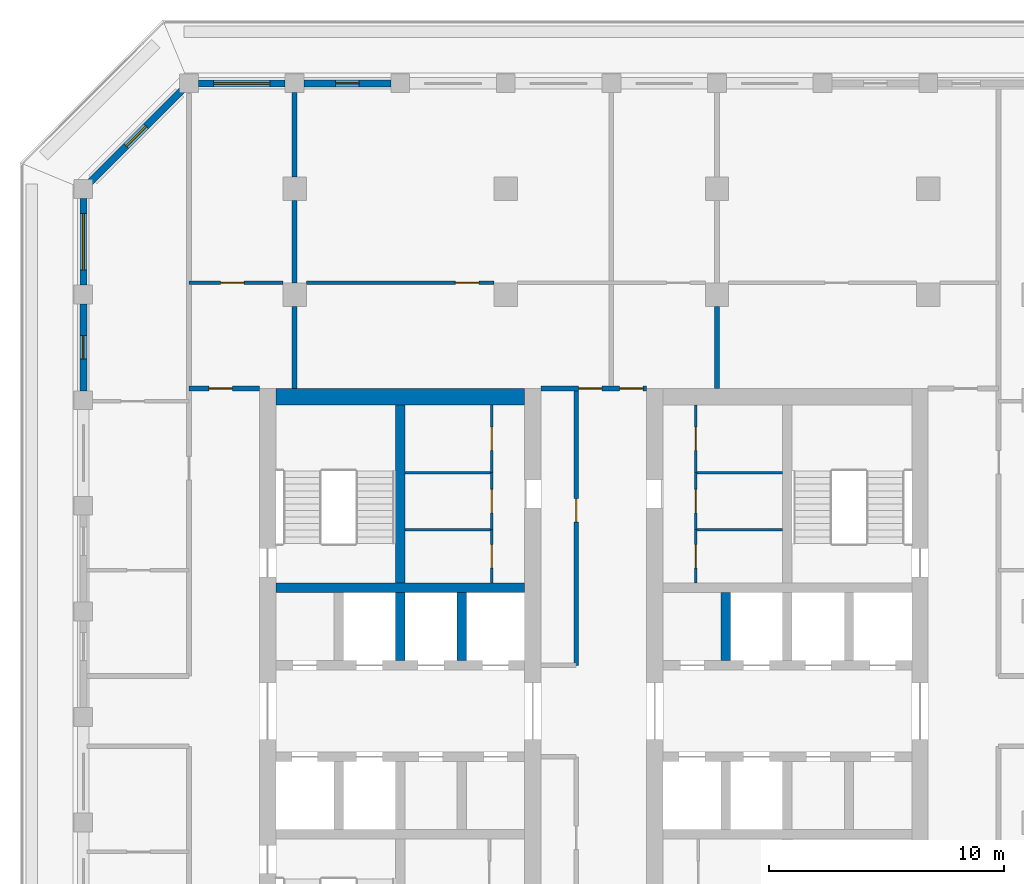
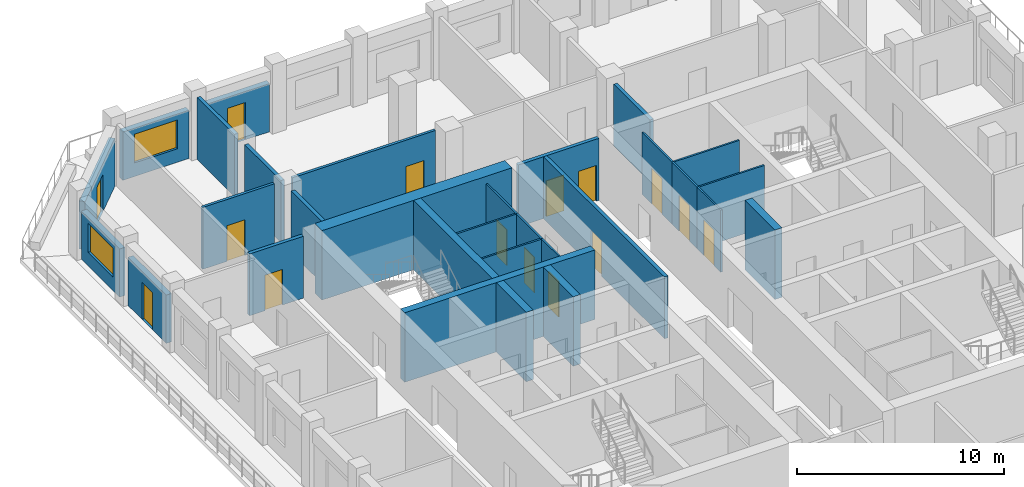
# One storey, part 6 of 17: 30 walls, 15 doors, 2 windows, 17 openings.
"""IFC4 building model written with IfcOpenShell, lengths in metres."""

from ifc_helpers import new_model, si_unit, direction, frame, frame_2d, origin, place, context, subcontext, project, spatial, rectangle, extrude, material, layer, layer_set, type_object, element, fill, save


model = new_model("IFC4")

# Units and contexts
model_context = context("Model", 3, precision=1e-05, world=origin(), true_north=direction((0.0, 1.0)))
body_context = subcontext(model_context, "Body", "Model", "MODEL_VIEW")
ifc_project = project(units=[si_unit("LENGTHUNIT", "METRE"), si_unit("AREAUNIT", "SQUARE_METRE"), si_unit("VOLUMEUNIT", "CUBIC_METRE"), si_unit("PLANEANGLEUNIT", "RADIAN"), si_unit("MASSUNIT", "GRAM", prefix="KILO")], contexts=[model_context])

# Site, building, storey
site_placement = place(None, origin())
site = spatial("IfcSite", under=ifc_project, at=site_placement, CompositionType="ELEMENT")
building_placement = place(site_placement, origin())
building = spatial("IfcBuilding", under=site, at=building_placement, Name="Corbel Stack Research Tower", CompositionType="ELEMENT")
storey_placement = place(building_placement, frame((0.0, 0.0, 252.10009765625)))
storey = spatial("IfcBuildingStorey", under=building, at=storey_placement, Name="L57", CompositionType="ELEMENT", Elevation=252.10009765625)

# Walls
ifc_material_1 = material(Name="Concrete C60/75", Category="concrete")
ifc_layer_1 = layer(ifc_material_1, 0.39990234375)
ifc_layer_set_1 = layer_set([ifc_layer_1], Name="Concrete C60/75")
wall_type_1 = type_object("IfcWallType", Name="CW-400-60", PredefinedType="SHEAR", material=ifc_layer_set_1)
wall_1_placement = place(storey_placement, frame((-9.800048828125, 10.0, 0.0), z_axis=(0.0, 0.0, 1.0), x_axis=(1.0, 0.0, 0.0)))
element("IfcWall", 1, at=wall_1_placement, inside=storey, type_object=wall_type_1, Name="West core wall, north row back L57", PredefinedType="SHEAR", context=body_context, shape_type="SweptSolid", body=[
    extrude(rectangle(XDim=10.60009765625, YDim=0.39990234375, at=frame_2d((5.300048828125, 0.0))), origin(), (0.0, 0.0, 1.0), 4.099853515625),
])
for number, where, z_axis, x_axis, name in (
    (2, (-4.5, 6.89990234375, 0.0), (0.0, 0.0, 1.0), (0.0, 1.0, 0.0), "West core wall, north shaft 2 L57"),
    (3, (-1.875, 6.89990234375, 0.0), (0.0, 0.0, 1.0), (0.0, 1.0, 0.0), "West core wall, north shaft 3 L57"),
):
    element("IfcWall", number, at=place(storey_placement, frame(where, z_axis=z_axis, x_axis=x_axis)), inside=storey, type_object=wall_type_1, Name=name, PredefinedType="SHEAR", context=body_context, shape_type="SweptSolid", body=[
        extrude(rectangle(XDim=2.900146484375, YDim=0.39990234375, at=frame_2d((1.4501953125, 0.0))), origin(), (0.0, 0.0, 1.0), 4.099853515625),
    ])
wall_2_placement = place(storey_placement, frame((-4.5, 10.199951171875, 0.0), z_axis=(0.0, 0.0, 1.0), x_axis=(0.0, 1.0, 0.0)))
element("IfcWall", 4, at=wall_2_placement, inside=storey, type_object=wall_type_1, Name="West core wall, north stair and riser L57", PredefinedType="SHEAR", context=body_context, shape_type="SweptSolid", body=[
    extrude(rectangle(XDim=7.60009765625, YDim=0.39990234375, at=frame_2d((3.800048828125, 0.0))), origin(), (0.0, 0.0, 1.0), 4.099853515625),
])
wall_3_placement = place(storey_placement, frame((9.375, 6.89990234375, 0.0), z_axis=(0.0, 0.0, 1.0), x_axis=(0.0, 1.0, 0.0)))
element("IfcWall", 5, at=wall_3_placement, inside=storey, type_object=wall_type_1, Name="East core wall, north shaft 1 L57", PredefinedType="SHEAR", context=body_context, shape_type="SweptSolid", body=[
    extrude(rectangle(XDim=2.900146484375, YDim=0.39990234375, at=frame_2d((1.4501953125, 0.0))), origin(), (0.0, 0.0, 1.0), 4.099853515625),
])
ifc_material_2 = material(Name="Concrete C60/75", Category="concrete")
ifc_layer_2 = layer(ifc_material_2, 0.699951171875)
ifc_layer_set_2 = layer_set([ifc_layer_2], Name="Concrete C60/75")
wall_type_2 = type_object("IfcWallType", Name="CW-700-60", PredefinedType="SHEAR", material=ifc_layer_set_2)
wall_4_placement = place(storey_placement, frame((-9.800048828125, 18.14990234375, 0.0), z_axis=(0.0, 0.0, 1.0), x_axis=(1.0, 0.0, 0.0)))
element("IfcWall", 6, at=wall_4_placement, inside=storey, type_object=wall_type_2, Name="West core wall, north end L57", PredefinedType="SHEAR", context=body_context, shape_type="SweptSolid", body=[
    extrude(rectangle(XDim=10.60009765625, YDim=0.699951171875, at=frame_2d((5.300048828125, 0.0))), origin(), (0.0, 0.0, 1.0), 4.099853515625),
])

# Wall, opening, door
ifc_material_3 = material(Name="Gypsum board")
ifc_layer_3 = layer(ifc_material_3, 0.10009765625)
ifc_layer_set_3 = layer_set([ifc_layer_3], Name="Gypsum board")
wall_type_3 = type_object("IfcWallType", Name="Core partition 100", PredefinedType="PARTITIONING", material=ifc_layer_set_3)
wall_5_placement = place(storey_placement, frame((-0.60009765625, 10.199951171875, 0.0), z_axis=(0.0, 0.0, 1.0), x_axis=(0.0, 1.0, 0.0)))
wall_5 = element("IfcWall", 7, at=wall_5_placement, inside=storey, type_object=wall_type_3, Name="Core partition W", PredefinedType="PARTITIONING", context=body_context, shape_type="SweptSolid", body=[
    extrude(rectangle(XDim=2.280029296875, YDim=0.10009765625, at=frame_2d((1.14013671875, 0.0))), origin(), (0.0, 0.0, 1.0), 3.64990234375),
])
opening_1_placement = place(wall_5_placement, frame((0.639892578125, 0.0, 0.0)))
opening_1 = element("IfcOpeningElement", 8, at=opening_1_placement, cuts=wall_5, Name="Opening CR-W12-R2-1000", PredefinedType="OPENING", context=body_context, shape_type="SweptSolid", body=[
    extrude(rectangle(XDim=1.0, YDim=2.10009765625, at=frame_2d((0.5, 1.050048828125))), frame((0.0, 0.06005859375, 0.0), z_axis=(0.0, -1.0, 0.0), x_axis=(1.0, 0.0, 0.0)), (0.0, 0.0, 1.0), 0.1201171875),
])
ifc_material_4 = material(Name="Painted steel door", Category="steel")
door_type_1 = type_object("IfcDoorType", Name="Riser door 1000 x 2100 FD60 right hand", OperationType="SINGLE_SWING_RIGHT", PredefinedType="DOOR", material=ifc_material_4)
door_1_placement = place(opening_1_placement, origin())
door_1 = element("IfcDoor", 9, at=door_1_placement, inside=storey, type_object=door_type_1, Name="Mechanical riser door W core", OperationType="SINGLE_SWING_RIGHT", OverallHeight=2.10009765625, OverallWidth=1.0, PredefinedType="DOOR", context=body_context, shape_type="SweptSolid", body=[
    extrude(rectangle(XDim=1.0, YDim=2.10009765625, at=frame_2d((0.5, 1.050048828125))), frame((0.0, 0.02490234375, 0.0), z_axis=(0.0, -1.0, 0.0), x_axis=(1.0, 0.0, 0.0)), (0.0, 0.0, 1.0), 0.050048828125),
])
fill(opening_1, door_1)

wall_6_placement = place(storey_placement, frame((-0.60009765625, 12.47998046875, 0.0), z_axis=(0.0, 0.0, 1.0), x_axis=(0.0, 1.0, 0.0)))
wall_6 = element("IfcWall", 10, at=wall_6_placement, inside=storey, type_object=wall_type_3, Name="Core partition W", PredefinedType="PARTITIONING", context=body_context, shape_type="SweptSolid", body=[
    extrude(rectangle(XDim=2.43212890625, YDim=0.10009765625, at=frame_2d((1.216064453125, 0.0))), origin(), (0.0, 0.0, 1.0), 3.64990234375),
])
opening_2_placement = place(wall_6_placement, frame((0.716064453125, 0.0, 0.0)))
opening_2 = element("IfcOpeningElement", 11, at=opening_2_placement, cuts=wall_6, Name="Opening CR-W12-R3-1000", PredefinedType="OPENING", context=body_context, shape_type="SweptSolid", body=[
    extrude(rectangle(XDim=1.0, YDim=2.10009765625, at=frame_2d((0.5, 1.050048828125))), frame((0.0, 0.06005859375, 0.0), z_axis=(0.0, -1.0, 0.0), x_axis=(1.0, 0.0, 0.0)), (0.0, 0.0, 1.0), 0.1201171875),
])
ifc_material_5 = material(Name="Painted steel door", Category="steel")
door_type_2 = type_object("IfcDoorType", Name="Service door 1000 x 2100 FD30 left hand", OperationType="SINGLE_SWING_LEFT", PredefinedType="DOOR", material=ifc_material_5)
door_2_placement = place(opening_2_placement, origin())
door_2 = element("IfcDoor", 12, at=door_2_placement, inside=storey, type_object=door_type_2, Name="Pantry door W core", OperationType="SINGLE_SWING_LEFT", OverallHeight=2.10009765625, OverallWidth=1.0, PredefinedType="DOOR", context=body_context, shape_type="SweptSolid", body=[
    extrude(rectangle(XDim=1.0, YDim=2.10009765625, at=frame_2d((0.5, 1.050048828125))), frame((0.0, 0.02490234375, 0.0), z_axis=(0.0, -1.0, 0.0), x_axis=(1.0, 0.0, 0.0)), (0.0, 0.0, 1.0), 0.050048828125),
])
fill(opening_2, door_2)

wall_7_placement = place(storey_placement, frame((-0.60009765625, 14.912109375, 0.0), z_axis=(0.0, 0.0, 1.0), x_axis=(0.0, 1.0, 0.0)))
wall_7 = element("IfcWall", 13, at=wall_7_placement, inside=storey, type_object=wall_type_3, Name="Core partition W", PredefinedType="PARTITIONING", context=body_context, shape_type="SweptSolid", body=[
    extrude(rectangle(XDim=2.887939453125, YDim=0.10009765625, at=frame_2d((1.44384765625, 0.0))), origin(), (0.0, 0.0, 1.0), 3.64990234375),
])
opening_3_placement = place(wall_7_placement, frame((0.944091796875, 0.0, 0.0)))
opening_3 = element("IfcOpeningElement", 14, at=opening_3_placement, cuts=wall_7, Name="Opening CR-W12-R4-1000", PredefinedType="OPENING", context=body_context, shape_type="SweptSolid", body=[
    extrude(rectangle(XDim=1.0, YDim=2.10009765625, at=frame_2d((0.5, 1.050048828125))), frame((0.0, 0.06005859375, 0.0), z_axis=(0.0, -1.0, 0.0), x_axis=(1.0, 0.0, 0.0)), (0.0, 0.0, 1.0), 0.1201171875),
])
door_3_placement = place(opening_3_placement, origin())
door_3 = element("IfcDoor", 15, at=door_3_placement, inside=storey, type_object=door_type_1, Name="Electrical riser door W core", OperationType="SINGLE_SWING_RIGHT", OverallHeight=2.10009765625, OverallWidth=1.0, PredefinedType="DOOR", context=body_context, shape_type="SweptSolid", body=[
    extrude(rectangle(XDim=1.0, YDim=2.10009765625, at=frame_2d((0.5, 1.050048828125))), frame((0.0, 0.02490234375, 0.0), z_axis=(0.0, -1.0, 0.0), x_axis=(1.0, 0.0, 0.0)), (0.0, 0.0, 1.0), 0.050048828125),
])
fill(opening_3, door_3)

# Walls
for number, where, z_axis, x_axis, name in (
    (16, (-4.300048828125, 12.47998046875, 0.0), (0.0, 0.0, 1.0), (1.0, 0.0, 0.0), "Core partition W"),
    (17, (-4.300048828125, 14.912109375, 0.0), (0.0, 0.0, 1.0), (1.0, 0.0, 0.0), "Core partition W"),
):
    element("IfcWall", number, at=place(storey_placement, frame(where, z_axis=z_axis, x_axis=x_axis)), inside=storey, type_object=wall_type_3, Name=name, PredefinedType="PARTITIONING", context=body_context, shape_type="SweptSolid", body=[
        extrude(rectangle(XDim=3.699951171875, YDim=0.10009765625, at=frame_2d((1.85009765625, 0.0))), origin(), (0.0, 0.0, 1.0), 3.64990234375),
    ])

# Wall, opening, door
wall_8_placement = place(storey_placement, frame((8.10009765625, 10.199951171875, 0.0), z_axis=(0.0, 0.0, 1.0), x_axis=(0.0, 1.0, 0.0)))
wall_8 = element("IfcWall", 18, at=wall_8_placement, inside=storey, type_object=wall_type_3, Name="Core partition E", PredefinedType="PARTITIONING", context=body_context, shape_type="SweptSolid", body=[
    extrude(rectangle(XDim=2.280029296875, YDim=0.10009765625, at=frame_2d((1.14013671875, 0.0))), origin(), (0.0, 0.0, 1.0), 3.64990234375),
])
opening_4_placement = place(wall_8_placement, frame((0.639892578125, 0.0, 0.0)))
opening_4 = element("IfcOpeningElement", 19, at=opening_4_placement, cuts=wall_8, Name="Opening CR-E12-R2-1000", PredefinedType="OPENING", context=body_context, shape_type="SweptSolid", body=[
    extrude(rectangle(XDim=1.0, YDim=2.10009765625, at=frame_2d((0.5, 1.050048828125))), frame((0.0, 0.06005859375, 0.0), z_axis=(0.0, -1.0, 0.0), x_axis=(1.0, 0.0, 0.0)), (0.0, 0.0, 1.0), 0.1201171875),
])
ifc_material_6 = material(Name="Painted steel door", Category="steel")
door_type_3 = type_object("IfcDoorType", Name="Riser door 1000 x 2100 FD60 left hand", OperationType="SINGLE_SWING_LEFT", PredefinedType="DOOR", material=ifc_material_6)
door_4_placement = place(opening_4_placement, origin())
door_4 = element("IfcDoor", 20, at=door_4_placement, inside=storey, type_object=door_type_3, Name="Mechanical riser door E core", OperationType="SINGLE_SWING_LEFT", OverallHeight=2.10009765625, OverallWidth=1.0, PredefinedType="DOOR", context=body_context, shape_type="SweptSolid", body=[
    extrude(rectangle(XDim=1.0, YDim=2.10009765625, at=frame_2d((0.5, 1.050048828125))), frame((0.0, 0.02490234375, 0.0), z_axis=(0.0, -1.0, 0.0), x_axis=(1.0, 0.0, 0.0)), (0.0, 0.0, 1.0), 0.050048828125),
])
fill(opening_4, door_4)

wall_9_placement = place(storey_placement, frame((8.10009765625, 12.47998046875, 0.0), z_axis=(0.0, 0.0, 1.0), x_axis=(0.0, 1.0, 0.0)))
wall_9 = element("IfcWall", 21, at=wall_9_placement, inside=storey, type_object=wall_type_3, Name="Core partition E", PredefinedType="PARTITIONING", context=body_context, shape_type="SweptSolid", body=[
    extrude(rectangle(XDim=2.43212890625, YDim=0.10009765625, at=frame_2d((1.216064453125, 0.0))), origin(), (0.0, 0.0, 1.0), 3.64990234375),
])
opening_5_placement = place(wall_9_placement, frame((0.716064453125, 0.0, 0.0)))
opening_5 = element("IfcOpeningElement", 22, at=opening_5_placement, cuts=wall_9, Name="Opening CR-E12-R3-1000", PredefinedType="OPENING", context=body_context, shape_type="SweptSolid", body=[
    extrude(rectangle(XDim=1.0, YDim=2.10009765625, at=frame_2d((0.5, 1.050048828125))), frame((0.0, 0.06005859375, 0.0), z_axis=(0.0, -1.0, 0.0), x_axis=(1.0, 0.0, 0.0)), (0.0, 0.0, 1.0), 0.1201171875),
])
ifc_material_7 = material(Name="Painted steel door", Category="steel")
door_type_4 = type_object("IfcDoorType", Name="Service door 1000 x 2100 FD30 right hand", OperationType="SINGLE_SWING_RIGHT", PredefinedType="DOOR", material=ifc_material_7)
door_5_placement = place(opening_5_placement, origin())
door_5 = element("IfcDoor", 23, at=door_5_placement, inside=storey, type_object=door_type_4, Name="Pantry door E core", OperationType="SINGLE_SWING_RIGHT", OverallHeight=2.10009765625, OverallWidth=1.0, PredefinedType="DOOR", context=body_context, shape_type="SweptSolid", body=[
    extrude(rectangle(XDim=1.0, YDim=2.10009765625, at=frame_2d((0.5, 1.050048828125))), frame((0.0, 0.02490234375, 0.0), z_axis=(0.0, -1.0, 0.0), x_axis=(1.0, 0.0, 0.0)), (0.0, 0.0, 1.0), 0.050048828125),
])
fill(opening_5, door_5)

wall_10_placement = place(storey_placement, frame((8.10009765625, 14.912109375, 0.0), z_axis=(0.0, 0.0, 1.0), x_axis=(0.0, 1.0, 0.0)))
wall_10 = element("IfcWall", 24, at=wall_10_placement, inside=storey, type_object=wall_type_3, Name="Core partition E", PredefinedType="PARTITIONING", context=body_context, shape_type="SweptSolid", body=[
    extrude(rectangle(XDim=2.887939453125, YDim=0.10009765625, at=frame_2d((1.44384765625, 0.0))), origin(), (0.0, 0.0, 1.0), 3.64990234375),
])
opening_6_placement = place(wall_10_placement, frame((0.944091796875, 0.0, 0.0)))
opening_6 = element("IfcOpeningElement", 25, at=opening_6_placement, cuts=wall_10, Name="Opening CR-E12-R4-1000", PredefinedType="OPENING", context=body_context, shape_type="SweptSolid", body=[
    extrude(rectangle(XDim=1.0, YDim=2.10009765625, at=frame_2d((0.5, 1.050048828125))), frame((0.0, 0.06005859375, 0.0), z_axis=(0.0, -1.0, 0.0), x_axis=(1.0, 0.0, 0.0)), (0.0, 0.0, 1.0), 0.1201171875),
])
door_6_placement = place(opening_6_placement, origin())
door_6 = element("IfcDoor", 26, at=door_6_placement, inside=storey, type_object=door_type_3, Name="Electrical riser door E core", OperationType="SINGLE_SWING_LEFT", OverallHeight=2.10009765625, OverallWidth=1.0, PredefinedType="DOOR", context=body_context, shape_type="SweptSolid", body=[
    extrude(rectangle(XDim=1.0, YDim=2.10009765625, at=frame_2d((0.5, 1.050048828125))), frame((0.0, 0.02490234375, 0.0), z_axis=(0.0, -1.0, 0.0), x_axis=(1.0, 0.0, 0.0)), (0.0, 0.0, 1.0), 0.050048828125),
])
fill(opening_6, door_6)

# Walls
for number, where, z_axis, x_axis, name in (
    (27, (8.10009765625, 12.47998046875, 0.0), (0.0, 0.0, 1.0), (1.0, 0.0, 0.0), "Core partition E"),
    (28, (8.10009765625, 14.912109375, 0.0), (0.0, 0.0, 1.0), (1.0, 0.0, 0.0), "Core partition E"),
):
    element("IfcWall", number, at=place(storey_placement, frame(where, z_axis=z_axis, x_axis=x_axis)), inside=storey, type_object=wall_type_3, Name=name, PredefinedType="PARTITIONING", context=body_context, shape_type="SweptSolid", body=[
        extrude(rectangle(XDim=3.699951171875, YDim=0.10009765625, at=frame_2d((1.85009765625, 0.0))), origin(), (0.0, 0.0, 1.0), 3.64990234375),
    ])
ifc_material_8 = material(Name="Fire-rated gypsum board partition on steel studs", Category="steel")
ifc_layer_4 = layer(ifc_material_8, 0.199951171875)
ifc_layer_set_4 = layer_set([ifc_layer_4], Name="Fire-rated gypsum board partition on steel studs")
wall_type_4 = type_object("IfcWallType", Name="Fire-rated partition 200 EI 60", PredefinedType="PARTITIONING", material=ifc_layer_set_4)
for number, where, z_axis, x_axis, name in (
    (29, (-9.0, 18.5, 0.0), (0.0, 0.0, 1.0), (0.0, 1.0, 0.0), "Partition L57-005"),
    (30, (-9.0, 23.0, 0.0), (0.0, 0.0, 1.0), (0.0, 1.0, 0.0), "Partition L57-006"),
):
    element("IfcWall", number, at=place(storey_placement, frame(where, z_axis=z_axis, x_axis=x_axis)), inside=storey, type_object=wall_type_4, Name=name, PredefinedType="PARTITIONING", context=body_context, shape_type="SweptSolid", body=[
        extrude(rectangle(XDim=3.5, YDim=0.199951171875, at=frame_2d((1.75, 0.0))), origin(), (0.0, 0.0, 1.0), 3.64990234375),
    ])
wall_11_placement = place(storey_placement, frame((-9.0, 27.5, 0.0), z_axis=(0.0, 0.0, 1.0), x_axis=(0.0, 1.0, 0.0)))
element("IfcWall", 31, at=wall_11_placement, inside=storey, type_object=wall_type_4, Name="Partition L57-007", PredefinedType="PARTITIONING", context=body_context, shape_type="SweptSolid", body=[
    extrude(rectangle(XDim=3.60009765625, YDim=0.199951171875, at=frame_2d((1.800048828125, 0.0))), origin(), (0.0, 0.0, 1.0), 3.64990234375),
])

# Wall, opening, door
wall_12_placement = place(storey_placement, frame((3.0, 6.699951171875, 0.0), z_axis=(0.0, 0.0, 1.0), x_axis=(0.0, 1.0, 0.0)))
wall_12 = element("IfcWall", 32, at=wall_12_placement, inside=storey, type_object=wall_type_4, Name="Partition L57-010", PredefinedType="PARTITIONING", context=body_context, shape_type="SweptSolid", body=[
    extrude(rectangle(XDim=11.800048828125, YDim=0.199951171875, at=frame_2d((5.89990234375, 0.0))), origin(), (0.0, 0.0, 1.0), 3.64990234375),
])
opening_7_placement = place(wall_12_placement, frame((6.10009765625, 0.0, 0.0)))
opening_7 = element("IfcOpeningElement", 33, at=opening_7_placement, cuts=wall_12, Name="Opening B7V1-017", PredefinedType="OPENING", context=body_context, shape_type="SweptSolid", body=[
    extrude(rectangle(XDim=1.0, YDim=2.10009765625, at=frame_2d((0.5, 1.050048828125))), frame((0.0, 0.10986328125, 0.0), z_axis=(0.0, -1.0, 0.0), x_axis=(1.0, 0.0, 0.0)), (0.0, 0.0, 1.0), 0.219970703125),
])
ifc_material_9 = material(Name="Painted steel fire door", Category="steel")
door_type_5 = type_object("IfcDoorType", Name="Fire door FD30S 1000 x 2100", OperationType="NOTDEFINED", PredefinedType="DOOR", material=ifc_material_9)
door_7_placement = place(opening_7_placement, origin())
door_7 = element("IfcDoor", 34, at=door_7_placement, inside=storey, type_object=door_type_5, Name="Door B7V1-017", OperationType="SINGLE_SWING_RIGHT", OverallHeight=2.10009765625, OverallWidth=1.0, PredefinedType="DOOR", context=body_context, shape_type="SweptSolid", body=[
    extrude(rectangle(XDim=1.0, YDim=2.10009765625, at=frame_2d((0.5, 1.050048828125))), frame((0.0, 0.02490234375, 0.0), z_axis=(0.0, -1.0, 0.0), x_axis=(1.0, 0.0, 0.0)), (0.0, 0.0, 1.0), 0.050048828125),
])
fill(opening_7, door_7)

# Wall
wall_13_placement = place(storey_placement, frame((9.0, 18.5, 0.0), z_axis=(0.0, 0.0, 1.0), x_axis=(0.0, 1.0, 0.0)))
element("IfcWall", 35, at=wall_13_placement, inside=storey, type_object=wall_type_4, Name="Partition L57-015", PredefinedType="PARTITIONING", context=body_context, shape_type="SweptSolid", body=[
    extrude(rectangle(XDim=3.5, YDim=0.199951171875, at=frame_2d((1.75, 0.0))), origin(), (0.0, 0.0, 1.0), 3.64990234375),
])

# Wall, opening, door
wall_14_placement = place(storey_placement, frame((-13.5, 18.5, 0.0), z_axis=(0.0, 0.0, 1.0), x_axis=(1.0, 0.0, 0.0)))
wall_14 = element("IfcWall", 36, at=wall_14_placement, inside=storey, type_object=wall_type_4, Name="Partition L57-042", PredefinedType="PARTITIONING", context=body_context, shape_type="SweptSolid", body=[
    extrude(rectangle(XDim=3.0, YDim=0.199951171875, at=frame_2d((1.5, 0.0))), origin(), (0.0, 0.0, 1.0), 3.64990234375),
])
opening_8_placement = place(wall_14_placement, frame((0.85009765625, 0.0, 0.0)))
opening_8 = element("IfcOpeningElement", 37, at=opening_8_placement, cuts=wall_14, Name="Opening B7V1-022", PredefinedType="OPENING", context=body_context, shape_type="SweptSolid", body=[
    extrude(rectangle(XDim=1.0, YDim=2.10009765625, at=frame_2d((0.5, 1.050048828125))), frame((0.0, 0.10986328125, 0.0), z_axis=(0.0, -1.0, 0.0), x_axis=(1.0, 0.0, 0.0)), (0.0, 0.0, 1.0), 0.219970703125),
])
door_8_placement = place(opening_8_placement, origin())
door_8 = element("IfcDoor", 38, at=door_8_placement, inside=storey, type_object=door_type_5, Name="Door B7V1-022", OperationType="SINGLE_SWING_LEFT", OverallHeight=2.10009765625, OverallWidth=1.0, PredefinedType="DOOR", context=body_context, shape_type="SweptSolid", body=[
    extrude(rectangle(XDim=1.0, YDim=2.10009765625, at=frame_2d((0.5, 1.050048828125))), frame((0.0, 0.02490234375, 0.0), z_axis=(0.0, -1.0, 0.0), x_axis=(1.0, 0.0, 0.0)), (0.0, 0.0, 1.0), 0.050048828125),
])
fill(opening_8, door_8)

# Wall, openings, doors
wall_15_placement = place(storey_placement, frame((1.5, 18.5, 0.0), z_axis=(0.0, 0.0, 1.0), x_axis=(1.0, 0.0, 0.0)))
wall_15 = element("IfcWall", 39, at=wall_15_placement, inside=storey, type_object=wall_type_4, Name="Partition L57-043", PredefinedType="PARTITIONING", context=body_context, shape_type="SweptSolid", body=[
    extrude(rectangle(XDim=4.5, YDim=0.199951171875, at=frame_2d((2.25, 0.0))), origin(), (0.0, 0.0, 1.0), 3.64990234375),
])
opening_9_placement = place(wall_15_placement, frame((1.60009765625, 0.0, 0.0)))
opening_9 = element("IfcOpeningElement", 40, at=opening_9_placement, cuts=wall_15, Name="Opening B7V1-023", PredefinedType="OPENING", context=body_context, shape_type="SweptSolid", body=[
    extrude(rectangle(XDim=1.0, YDim=2.10009765625, at=frame_2d((0.5, 1.050048828125))), frame((0.0, 0.10986328125, 0.0), z_axis=(0.0, -1.0, 0.0), x_axis=(1.0, 0.0, 0.0)), (0.0, 0.0, 1.0), 0.219970703125),
])
opening_10_placement = place(wall_15_placement, frame((3.35009765625, 0.0, 0.0)))
opening_10 = element("IfcOpeningElement", 41, at=opening_10_placement, cuts=wall_15, Name="Opening B7V1-024", PredefinedType="OPENING", context=body_context, shape_type="SweptSolid", body=[
    extrude(rectangle(XDim=1.0, YDim=2.10009765625, at=frame_2d((0.5, 1.050048828125))), frame((0.0, 0.10986328125, 0.0), z_axis=(0.0, -1.0, 0.0), x_axis=(1.0, 0.0, 0.0)), (0.0, 0.0, 1.0), 0.219970703125),
])
door_9_placement = place(opening_9_placement, origin())
door_9 = element("IfcDoor", 42, at=door_9_placement, inside=storey, type_object=door_type_5, Name="Door B7V1-023", OperationType="SINGLE_SWING_LEFT", OverallHeight=2.10009765625, OverallWidth=1.0, PredefinedType="DOOR", context=body_context, shape_type="SweptSolid", body=[
    extrude(rectangle(XDim=1.0, YDim=2.10009765625, at=frame_2d((0.5, 1.050048828125))), frame((0.0, 0.02490234375, 0.0), z_axis=(0.0, -1.0, 0.0), x_axis=(1.0, 0.0, 0.0)), (0.0, 0.0, 1.0), 0.050048828125),
])
fill(opening_9, door_9)
door_10_placement = place(opening_10_placement, origin())
door_10 = element("IfcDoor", 43, at=door_10_placement, inside=storey, type_object=door_type_5, Name="Door B7V1-024", OperationType="SINGLE_SWING_RIGHT", OverallHeight=2.10009765625, OverallWidth=1.0, PredefinedType="DOOR", context=body_context, shape_type="SweptSolid", body=[
    extrude(rectangle(XDim=1.0, YDim=2.10009765625, at=frame_2d((0.5, 1.050048828125))), frame((0.0, 0.02490234375, 0.0), z_axis=(0.0, -1.0, 0.0), x_axis=(1.0, 0.0, 0.0)), (0.0, 0.0, 1.0), 0.050048828125),
])
fill(opening_10, door_10)

# Wall, opening, door
ifc_material_10 = material(Name="Gypsum board partition on steel studs", Category="steel")
ifc_layer_5 = layer(ifc_material_10, 0.14990234375)
ifc_layer_set_5 = layer_set([ifc_layer_5], Name="Gypsum board partition on steel studs")
wall_type_5 = type_object("IfcWallType", Name="Partition 150", PredefinedType="PARTITIONING", material=ifc_layer_set_5)
wall_16_placement = place(storey_placement, frame((-13.5, 23.0, 0.0), z_axis=(0.0, 0.0, 1.0), x_axis=(1.0, 0.0, 0.0)))
wall_16 = element("IfcWall", 44, at=wall_16_placement, inside=storey, type_object=wall_type_5, Name="Partition L57-045", PredefinedType="PARTITIONING", context=body_context, shape_type="SweptSolid", body=[
    extrude(rectangle(XDim=4.0, YDim=0.14990234375, at=frame_2d((2.0, 0.0))), origin(), (0.0, 0.0, 1.0), 3.64990234375),
])
opening_11_placement = place(wall_16_placement, frame((1.35009765625, 0.0, 0.0)))
opening_11 = element("IfcOpeningElement", 45, at=opening_11_placement, cuts=wall_16, Name="Opening B7V1-028", PredefinedType="OPENING", context=body_context, shape_type="SweptSolid", body=[
    extrude(rectangle(XDim=1.0, YDim=2.10009765625, at=frame_2d((0.5, 1.050048828125))), frame((0.0, 0.0849609375, 0.0), z_axis=(0.0, -1.0, 0.0), x_axis=(1.0, 0.0, 0.0)), (0.0, 0.0, 1.0), 0.169921875),
])
ifc_material_11 = material(Name="Painted timber door", Category="wood")
door_type_6 = type_object("IfcDoorType", Name="Single door 1000 x 2100", OperationType="NOTDEFINED", PredefinedType="DOOR", material=ifc_material_11)
door_11_placement = place(opening_11_placement, origin())
door_11 = element("IfcDoor", 46, at=door_11_placement, inside=storey, type_object=door_type_6, Name="Door B7V1-028", OperationType="SINGLE_SWING_LEFT", OverallHeight=2.10009765625, OverallWidth=1.0, PredefinedType="DOOR", context=body_context, shape_type="SweptSolid", body=[
    extrude(rectangle(XDim=1.0, YDim=2.10009765625, at=frame_2d((0.5, 1.050048828125))), frame((0.0, 0.02490234375, 0.0), z_axis=(0.0, -1.0, 0.0), x_axis=(1.0, 0.0, 0.0)), (0.0, 0.0, 1.0), 0.050048828125),
])
fill(opening_11, door_11)

wall_17_placement = place(storey_placement, frame((-8.5, 23.0, 0.0), z_axis=(0.0, 0.0, 1.0), x_axis=(1.0, 0.0, 0.0)))
wall_17 = element("IfcWall", 47, at=wall_17_placement, inside=storey, type_object=wall_type_5, Name="Partition L57-046", PredefinedType="PARTITIONING", context=body_context, shape_type="SweptSolid", body=[
    extrude(rectangle(XDim=8.0, YDim=0.14990234375, at=frame_2d((4.0, 0.0))), origin(), (0.0, 0.0, 1.0), 3.64990234375),
])
opening_12_placement = place(wall_17_placement, frame((6.35009765625, 0.0, 0.0)))
opening_12 = element("IfcOpeningElement", 48, at=opening_12_placement, cuts=wall_17, Name="Opening B7V1-029", PredefinedType="OPENING", context=body_context, shape_type="SweptSolid", body=[
    extrude(rectangle(XDim=1.0, YDim=2.10009765625, at=frame_2d((0.5, 1.050048828125))), frame((0.0, 0.0849609375, 0.0), z_axis=(0.0, -1.0, 0.0), x_axis=(1.0, 0.0, 0.0)), (0.0, 0.0, 1.0), 0.169921875),
])
door_12_placement = place(opening_12_placement, origin())
door_12 = element("IfcDoor", 49, at=door_12_placement, inside=storey, type_object=door_type_6, Name="Door B7V1-029", OperationType="SINGLE_SWING_RIGHT", OverallHeight=2.10009765625, OverallWidth=1.0, PredefinedType="DOOR", context=body_context, shape_type="SweptSolid", body=[
    extrude(rectangle(XDim=1.0, YDim=2.10009765625, at=frame_2d((0.5, 1.050048828125))), frame((0.0, 0.02490234375, 0.0), z_axis=(0.0, -1.0, 0.0), x_axis=(1.0, 0.0, 0.0)), (0.0, 0.0, 1.0), 0.050048828125),
])
fill(opening_12, door_12)

ifc_material_12 = material(Name="Concrete C45/55", Category="concrete")
ifc_layer_6 = layer(ifc_material_12, 0.300048828125)
ifc_layer_set_6 = layer_set([ifc_layer_6], Name="Concrete C45/55")
wall_type_6 = type_object("IfcWallType", Name="Terracotta-faced concrete wall 300", PredefinedType="SOLIDWALL", material=ifc_layer_set_6)
wall_18_placement = place(storey_placement, frame((-8.60009765625, 31.5, 0.0), z_axis=(0.0, 0.0, 1.0), x_axis=(1.0, 0.0, 0.0)))
wall_18 = element("IfcWall", 50, at=wall_18_placement, inside=storey, type_object=wall_type_6, Name="Facade wall L57 N07", PredefinedType="SOLIDWALL", context=body_context, shape_type="SweptSolid", body=[
    extrude(rectangle(XDim=3.7001953125, YDim=0.300048828125, at=frame_2d((1.85009765625, 0.0))), origin(), (0.0, 0.0, 1.0), 2.849853515625),
])
opening_13_placement = place(wall_18_placement, frame((1.35009765625, 0.0, 0.0)))
opening_13 = element("IfcOpeningElement", 51, at=opening_13_placement, cuts=wall_18, Name="Opening L57-B08", PredefinedType="OPENING", context=body_context, shape_type="SweptSolid", body=[
    extrude(rectangle(XDim=1.0, YDim=2.199951171875, at=frame_2d((0.5, 1.10009765625))), frame((0.0, 0.159912109375, 0.0), z_axis=(0.0, -1.0, 0.0), x_axis=(1.0, 0.0, 0.0)), (0.0, 0.0, 1.0), 0.320068359375),
])
ifc_material_13 = material(Name="Aluminium frame, clear double glazing", Category="aluminium")
door_type_7 = type_object("IfcDoorType", Name="Balcony door BD1 1000 x 2200", OperationType="NOTDEFINED", PredefinedType="DOOR", material=ifc_material_13)
door_13_placement = place(opening_13_placement, origin())
door_13 = element("IfcDoor", 52, at=door_13_placement, inside=storey, type_object=door_type_7, Name="Balcony door L57-B08", OperationType="SINGLE_SWING_RIGHT", OverallHeight=2.199951171875, OverallWidth=1.0, PredefinedType="DOOR", context=body_context, shape_type="SweptSolid", body=[
    extrude(rectangle(XDim=1.0, YDim=2.199951171875, at=frame_2d((0.5, 1.10009765625))), frame((0.0, 0.02490234375, 0.0), z_axis=(0.0, -1.0, 0.0), x_axis=(1.0, 0.0, 0.0)), (0.0, 0.0, 1.0), 0.050048828125),
])
fill(opening_13, door_13)

# Wall, opening, window
wall_19_placement = place(storey_placement, frame((-13.10009765625, 31.5, 0.0), z_axis=(0.0, 0.0, 1.0), x_axis=(1.0, 0.0, 0.0)))
wall_19 = element("IfcWall", 53, at=wall_19_placement, inside=storey, type_object=wall_type_6, Name="Facade wall L57 N08", PredefinedType="SOLIDWALL", context=body_context, shape_type="SweptSolid", body=[
    extrude(rectangle(XDim=3.7001953125, YDim=0.300048828125, at=frame_2d((1.85009765625, 0.0))), origin(), (0.0, 0.0, 1.0), 2.849853515625),
])
opening_14_placement = place(wall_19_placement, frame((0.64990234375, 0.0, 0.800048828125)))
opening_14 = element("IfcOpeningElement", 54, at=opening_14_placement, cuts=wall_19, Name="Opening W1", PredefinedType="OPENING", context=body_context, shape_type="SweptSolid", body=[
    extrude(rectangle(XDim=2.39990234375, YDim=1.699951171875, at=frame_2d((1.199951171875, 0.85009765625))), frame((0.0, 0.159912109375, 0.0), z_axis=(0.0, -1.0, 0.0), x_axis=(1.0, 0.0, 0.0)), (0.0, 0.0, 1.0), 0.320068359375),
])
ifc_material_14 = material(Name="Aluminium frame, clear double glazing", Category="aluminium")
window_type = type_object("IfcWindowType", Name="Window W1 2400 x 1700", PartitioningType="SINGLE_PANEL", PredefinedType="WINDOW", material=ifc_material_14)
window_1_placement = place(opening_14_placement, origin())
window_1 = element("IfcWindow", 55, at=window_1_placement, inside=storey, type_object=window_type, Name="Window W1 L57 N08", OverallHeight=1.699951171875, OverallWidth=2.39990234375, PartitioningType="SINGLE_PANEL", PredefinedType="WINDOW", context=body_context, shape_type="SweptSolid", body=[
    extrude(rectangle(XDim=2.39990234375, YDim=1.699951171875, at=frame_2d((1.199951171875, 0.85009765625))), frame((0.0, 0.030029296875, 0.0), z_axis=(0.0, -1.0, 0.0), x_axis=(1.0, 0.0, 0.0)), (0.0, 0.0, 1.0), 0.06005859375),
])
fill(opening_14, window_1)

# Wall, opening, door
wall_20_placement = place(storey_placement, frame((-17.7060546875, 27.2939453125, 0.0), z_axis=(0.0, 0.0, 1.0), x_axis=(0.707106781187, 0.707106781187, 0.0)))
wall_20 = element("IfcWall", 56, at=wall_20_placement, inside=storey, type_object=wall_type_6, Name="Facade wall L57 NW01", PredefinedType="SOLIDWALL", context=body_context, shape_type="SweptSolid", body=[
    extrude(rectangle(XDim=5.532470703125, YDim=0.300048828125, at=frame_2d((2.76611328125, 0.0))), origin(), (0.0, 0.0, 1.0), 2.849853515625),
])
opening_15_placement = place(wall_20_placement, frame((2.166259765625, 0.0, 0.0)))
opening_15 = element("IfcOpeningElement", 57, at=opening_15_placement, cuts=wall_20, Name="Opening L57-B09", PredefinedType="OPENING", context=body_context, shape_type="SweptSolid", body=[
    extrude(rectangle(XDim=1.199951171875, YDim=2.199951171875, at=frame_2d((0.60009765625, 1.10009765625))), frame((0.0, 0.159912109375, 0.0), z_axis=(0.0, -1.0, 0.0), x_axis=(1.0, 0.0, 0.0)), (0.0, 0.0, 1.0), 0.320068359375),
])
ifc_material_15 = material(Name="Aluminium frame, clear double glazing", Category="aluminium")
door_type_8 = type_object("IfcDoorType", Name="Balcony door BD2 1200 x 2200", OperationType="NOTDEFINED", PredefinedType="DOOR", material=ifc_material_15)
door_14_placement = place(opening_15_placement, origin())
door_14 = element("IfcDoor", 58, at=door_14_placement, inside=storey, type_object=door_type_8, Name="Balcony door L57-B09", OperationType="SINGLE_SWING_RIGHT", OverallHeight=2.199951171875, OverallWidth=1.199951171875, PredefinedType="DOOR", context=body_context, shape_type="SweptSolid", body=[
    extrude(rectangle(XDim=1.199951171875, YDim=2.199951171875, at=frame_2d((0.60009765625, 1.10009765625))), frame((0.0, 0.02490234375, 0.0), z_axis=(0.0, -1.0, 0.0), x_axis=(1.0, 0.0, 0.0)), (0.0, 0.0, 1.0), 0.050048828125),
])
fill(opening_15, door_14)

# Wall, opening, window
wall_21_placement = place(storey_placement, frame((-18.0, 22.89990234375, 0.0), z_axis=(0.0, 0.0, 1.0), x_axis=(0.0, 1.0, 0.0)))
wall_21 = element("IfcWall", 59, at=wall_21_placement, inside=storey, type_object=wall_type_6, Name="Facade wall L57 W01", PredefinedType="SOLIDWALL", context=body_context, shape_type="SweptSolid", body=[
    extrude(rectangle(XDim=3.7001953125, YDim=0.300048828125, at=frame_2d((1.85009765625, 0.0))), origin(), (0.0, 0.0, 1.0), 2.849853515625),
])
opening_16_placement = place(wall_21_placement, frame((0.64990234375, 0.0, 0.800048828125)))
opening_16 = element("IfcOpeningElement", 60, at=opening_16_placement, cuts=wall_21, Name="Opening W1", PredefinedType="OPENING", context=body_context, shape_type="SweptSolid", body=[
    extrude(rectangle(XDim=2.39990234375, YDim=1.699951171875, at=frame_2d((1.199951171875, 0.85009765625))), frame((0.0, 0.159912109375, 0.0), z_axis=(0.0, -1.0, 0.0), x_axis=(1.0, 0.0, 0.0)), (0.0, 0.0, 1.0), 0.320068359375),
])
window_2_placement = place(opening_16_placement, origin())
window_2 = element("IfcWindow", 61, at=window_2_placement, inside=storey, type_object=window_type, Name="Window W1 L57 W01", OverallHeight=1.699951171875, OverallWidth=2.39990234375, PartitioningType="SINGLE_PANEL", PredefinedType="WINDOW", context=body_context, shape_type="SweptSolid", body=[
    extrude(rectangle(XDim=2.39990234375, YDim=1.699951171875, at=frame_2d((1.199951171875, 0.85009765625))), frame((0.0, 0.030029296875, 0.0), z_axis=(0.0, -1.0, 0.0), x_axis=(1.0, 0.0, 0.0)), (0.0, 0.0, 1.0), 0.06005859375),
])
fill(opening_16, window_2)

# Wall, opening, door
wall_22_placement = place(storey_placement, frame((-18.0, 18.39990234375, 0.0), z_axis=(0.0, 0.0, 1.0), x_axis=(0.0, 1.0, 0.0)))
wall_22 = element("IfcWall", 62, at=wall_22_placement, inside=storey, type_object=wall_type_6, Name="Facade wall L57 W02", PredefinedType="SOLIDWALL", context=body_context, shape_type="SweptSolid", body=[
    extrude(rectangle(XDim=3.7001953125, YDim=0.300048828125, at=frame_2d((1.85009765625, 0.0))), origin(), (0.0, 0.0, 1.0), 2.849853515625),
])
opening_17_placement = place(wall_22_placement, frame((1.35009765625, 0.0, 0.0)))
opening_17 = element("IfcOpeningElement", 63, at=opening_17_placement, cuts=wall_22, Name="Opening L57-B10", PredefinedType="OPENING", context=body_context, shape_type="SweptSolid", body=[
    extrude(rectangle(XDim=1.0, YDim=2.199951171875, at=frame_2d((0.5, 1.10009765625))), frame((0.0, 0.159912109375, 0.0), z_axis=(0.0, -1.0, 0.0), x_axis=(1.0, 0.0, 0.0)), (0.0, 0.0, 1.0), 0.320068359375),
])
door_15_placement = place(opening_17_placement, origin())
door_15 = element("IfcDoor", 64, at=door_15_placement, inside=storey, type_object=door_type_7, Name="Balcony door L57-B10", OperationType="SINGLE_SWING_LEFT", OverallHeight=2.199951171875, OverallWidth=1.0, PredefinedType="DOOR", context=body_context, shape_type="SweptSolid", body=[
    extrude(rectangle(XDim=1.0, YDim=2.199951171875, at=frame_2d((0.5, 1.10009765625))), frame((0.0, 0.02490234375, 0.0), z_axis=(0.0, -1.0, 0.0), x_axis=(1.0, 0.0, 0.0)), (0.0, 0.0, 1.0), 0.050048828125),
])
fill(opening_17, door_15)

save(model, "model.ifc")
